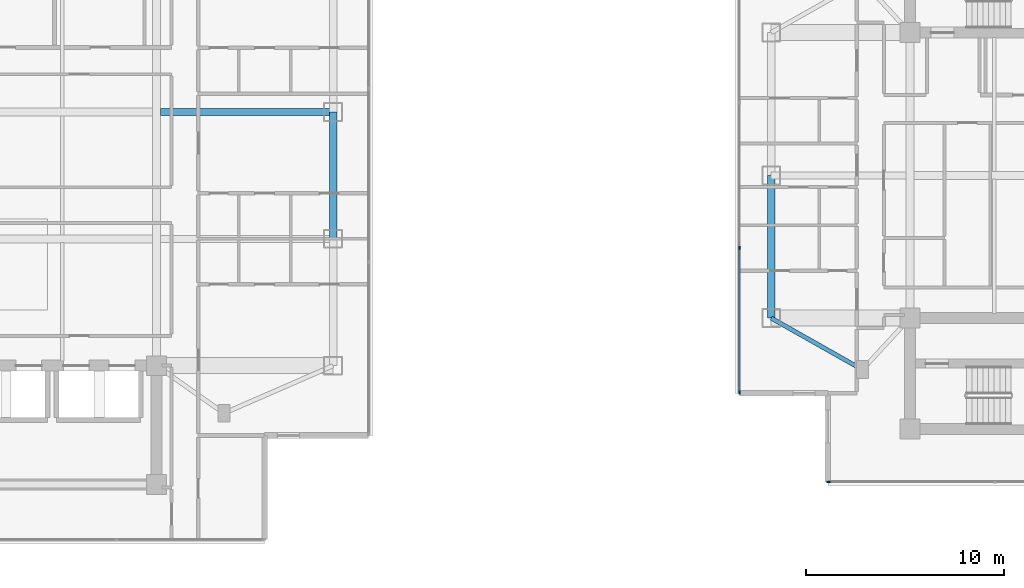
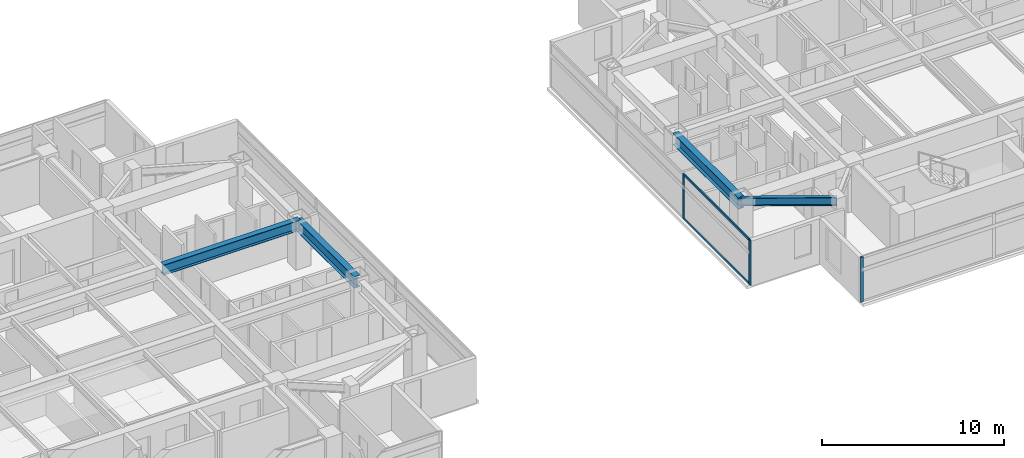
# One storey, part 5 of 24: 5 members, 4 beams, 2 elements without a shape of their own.
"""IFC4 building model written with IfcOpenShell, lengths in metres."""

from ifc_helpers import new_model, si_unit, direction, frame, origin, origin_2d, place, context, subcontext, project, spatial, rectangle, i_section, extrude, material, material_profile, profile_set, type_object, element, aggregate, save


model = new_model("IFC4")

# Units and contexts
model_context = context("Model", 3, precision=1e-05, world=origin(), true_north=direction((0.0, 1.0)))
body_context = subcontext(model_context, "Body", "Model", "MODEL_VIEW")
ifc_project = project(units=[si_unit("LENGTHUNIT", "METRE"), si_unit("AREAUNIT", "SQUARE_METRE"), si_unit("VOLUMEUNIT", "CUBIC_METRE"), si_unit("PLANEANGLEUNIT", "RADIAN"), si_unit("MASSUNIT", "GRAM", prefix="KILO")], contexts=[model_context])

# Site, building, storey
site_placement = place(None, origin())
site = spatial("IfcSite", under=ifc_project, at=site_placement, CompositionType="ELEMENT")
building_placement = place(site_placement, origin())
building = spatial("IfcBuilding", under=site, at=building_placement, Name="Mirazonda Arch Towers", CompositionType="ELEMENT")
storey_placement = place(building_placement, frame((0.0, 0.0, 160.89990234375)))
storey = spatial("IfcBuildingStorey", under=building, at=storey_placement, Name="L45", CompositionType="ELEMENT", Elevation=160.89990234375)

# Beams
ifc_material_1 = material(Name="Steel ASTM A992 Grade 50", Category="steel")
ifc_material_profile_1 = material_profile(ifc_material_1, i_section(OverallWidth=0.381103515625, OverallDepth=0.77294921875, WebThickness=0.0166015625, FlangeThickness=0.027099609375, at=origin_2d()), Name="W30X173")
ifc_profile_set_1 = profile_set([ifc_material_profile_1], Name="Steel ASTM A992 Grade 50")
beam_type_1 = type_object("IfcBeamType", Name="BM-EXT-W30X173", PredefinedType="USERDEFINED", material=ifc_profile_set_1)
beam_1_placement = place(storey_placement, frame((38.89990234375, 24.800048828125, 2.66357421875), z_axis=(0.0, 1.0, 0.0), x_axis=(-1.0, 0.0, 0.0)))
element("IfcBeam", 1, at=beam_1_placement, inside=storey, type_object=beam_type_1, Name="L45 Floor Beam BM-T1-L45-NS-E-24", ObjectType="GIRDER", PredefinedType="USERDEFINED", context=body_context, shape_type="SweptSolid", body=[
    extrude(i_section(OverallWidth=0.381103515625, OverallDepth=0.77294921875, WebThickness=0.0166015625, FlangeThickness=0.027099609375, at=origin_2d()), origin(), (0.0, 0.0, 1.0), 6.39990234375),
])
beam_2_placement = place(storey_placement, frame((61.0, 20.800048828125, 2.66357421875), z_axis=(0.0, 1.0, 0.0), x_axis=(-1.0, 0.0, 0.0)))
element("IfcBeam", 2, at=beam_2_placement, inside=storey, type_object=beam_type_1, Name="L45 Floor Beam BM-T2-L45-NS-W-20", ObjectType="GIRDER", PredefinedType="USERDEFINED", context=body_context, shape_type="SweptSolid", body=[
    extrude(i_section(OverallWidth=0.381103515625, OverallDepth=0.77294921875, WebThickness=0.0166015625, FlangeThickness=0.027099609375, at=origin_2d()), origin(), (0.0, 0.0, 1.0), 7.199951171875),
])
ifc_material_profile_2 = material_profile(ifc_material_1, i_section(OverallWidth=0.214111328125, OverallDepth=0.549072265625, WebThickness=0.0146484375, FlangeThickness=0.023681640625, at=origin_2d()), Name="W21X93")
ifc_profile_set_2 = profile_set([ifc_material_profile_2], Name="Steel ASTM A992 Grade 50")
beam_type_2 = type_object("IfcBeamType", Name="BM-INT-W21X93", PredefinedType="BEAM", material=ifc_profile_set_2)
beam_3_placement = place(storey_placement, frame((65.60009765625, 18.199951171875, 2.775634765625), z_axis=(-0.870559396632, 0.492063346467, 0.0), x_axis=(-0.492063346467, -0.870559396632, 0.0)))
element("IfcBeam", 3, at=beam_3_placement, inside=storey, type_object=beam_type_2, Name="L45 Floor Beam BM-T2-L45-PL-SW2", PredefinedType="BEAM", context=body_context, shape_type="SweptSolid", body=[
    extrude(i_section(OverallWidth=0.214111328125, OverallDepth=0.549072265625, WebThickness=0.0146484375, FlangeThickness=0.023681640625, at=origin_2d()), origin(), (0.0, 0.0, 1.0), 5.2841796875),
])
ifc_material_profile_3 = material_profile(ifc_material_1, i_section(OverallWidth=0.35498046875, OverallDepth=0.696044921875, WebThickness=0.015380859375, FlangeThickness=0.02490234375, at=origin_2d()), Name="W27X146")
ifc_profile_set_3 = profile_set([ifc_material_profile_3], Name="Steel ASTM A992 Grade 50")
beam_type_3 = type_object("IfcBeamType", Name="BM-INT-W27X146", PredefinedType="BEAM", material=ifc_profile_set_3)
beam_4_placement = place(storey_placement, frame((30.199951171875, 31.199951171875, 2.7021484375), z_axis=(1.0, 0.0, 0.0), x_axis=(0.0, 1.0, 0.0)))
element("IfcBeam", 4, at=beam_4_placement, inside=storey, type_object=beam_type_3, Name="L45 Floor Beam BM-T1-L45-GE3", PredefinedType="BEAM", context=body_context, shape_type="SweptSolid", body=[
    extrude(i_section(OverallWidth=0.35498046875, OverallDepth=0.696044921875, WebThickness=0.015380859375, FlangeThickness=0.02490234375, at=origin_2d()), origin(), (0.0, 0.0, 1.0), 8.699951171875),
])

# Curtain wall, member
ifc_material_2 = material(Name="Anodised Aluminium and Low-E Glass", Category="aluminium")
curtain_wall_type = type_object("IfcCurtainWallType", Name="CW-RES-UNIT", PredefinedType="NOTDEFINED", material=ifc_material_2)
curtain_wall_1_placement = place(storey_placement, origin())
curtain_wall_1 = element("IfcCurtainWall", 5, at=curtain_wall_1_placement, inside=storey, type_object=curtain_wall_type, Name="L45 T2 S Facade CW-L45-T2-S", PredefinedType="NOTDEFINED")
ifc_material_3 = material(Name="Anodised Aluminium Alloy", Category="aluminium")
ifc_material_profile_4 = material_profile(ifc_material_3, rectangle(XDim=0.074951171875, YDim=0.175048828125, at=origin_2d()), Name="ALU-MULL-75x175")
ifc_profile_set_4 = profile_set([ifc_material_profile_4], Name="Anodised Aluminium Alloy")
member_type_1 = type_object("IfcMemberType", Name="MULL-CW-RES-UNIT", PredefinedType="MULLION", material=ifc_profile_set_4)
member_1_placement = place(storey_placement, frame((63.894287109375, 12.5419921875, 0.0), z_axis=(0.0, 0.0, 1.0), x_axis=(0.0, -1.0, 0.0)))
member_1 = element("IfcMember", 6, at=member_1_placement, type_object=member_type_1, Name="CW-104 mullion 4", PredefinedType="MULLION", context=body_context, shape_type="SweptSolid", body=[
    extrude(rectangle(XDim=0.074951171875, YDim=0.175048828125, at=origin_2d()), origin(), (0.0, 0.0, 1.0), 3.030029296875),
])
aggregate(curtain_wall_1, [member_1])

# Curtain wall, members
curtain_wall_2_placement = place(storey_placement, origin())
curtain_wall_2 = element("IfcCurtainWall", 7, at=curtain_wall_2_placement, inside=storey, type_object=curtain_wall_type, Name="L45 T2 W Facade CW-L45-T2-W", PredefinedType="NOTDEFINED")
member_2_placement = place(storey_placement, frame((59.3916015625, 24.335693359375, 0.0), z_axis=(0.0, 0.0, 1.0), x_axis=(1.0, 0.0, 0.0)))
member_2 = element("IfcMember", 8, at=member_2_placement, type_object=member_type_1, Name="CW-104 mullion 3", PredefinedType="MULLION", context=body_context, shape_type="SweptSolid", body=[
    extrude(rectangle(XDim=0.074951171875, YDim=0.175048828125, at=origin_2d()), origin(), (0.0, 0.0, 1.0), 3.030029296875),
])
member_3_placement = place(storey_placement, frame((59.3916015625, 17.044677734375, 0.0), z_axis=(0.0, 0.0, 1.0), x_axis=(1.0, 0.0, 0.0)))
member_3 = element("IfcMember", 9, at=member_3_placement, type_object=member_type_1, Name="CW-104 mullion 4", PredefinedType="MULLION", context=body_context, shape_type="SweptSolid", body=[
    extrude(rectangle(XDim=0.074951171875, YDim=0.175048828125, at=origin_2d()), origin(), (0.0, 0.0, 1.0), 3.030029296875),
])
ifc_material_profile_5 = material_profile(ifc_material_3, rectangle(XDim=0.074951171875, YDim=0.155029296875, at=origin_2d()), Name="ALU-TRAN-75x155")
ifc_profile_set_5 = profile_set([ifc_material_profile_5], Name="Anodised Aluminium Alloy")
member_type_2 = type_object("IfcMemberType", Name="TRAN-CW-RES-UNIT", PredefinedType="USERDEFINED", material=ifc_profile_set_5)
member_4_placement = place(storey_placement, frame((59.3916015625, 24.298095703125, 0.03759765625), z_axis=(0.0, -1.0, 0.0), x_axis=(1.0, 0.0, 0.0)))
member_4 = element("IfcMember", 10, at=member_4_placement, type_object=member_type_2, Name="CW-104 transom 3.1", ObjectType="TRANSOM", PredefinedType="USERDEFINED", context=body_context, shape_type="SweptSolid", body=[
    extrude(rectangle(XDim=0.074951171875, YDim=0.155029296875, at=origin_2d()), origin(), (0.0, 0.0, 1.0), 7.216064453125),
])
member_5_placement = place(storey_placement, frame((59.3916015625, 24.298095703125, 2.99267578125), z_axis=(0.0, -1.0, 0.0), x_axis=(1.0, 0.0, 0.0)))
member_5 = element("IfcMember", 11, at=member_5_placement, type_object=member_type_2, Name="CW-104 transom 3.2", ObjectType="TRANSOM", PredefinedType="USERDEFINED", context=body_context, shape_type="SweptSolid", body=[
    extrude(rectangle(XDim=0.074951171875, YDim=0.155029296875, at=origin_2d()), origin(), (0.0, 0.0, 1.0), 7.216064453125),
])
aggregate(curtain_wall_2, [member_2, member_3, member_4, member_5])

save(model, "model.ifc")
